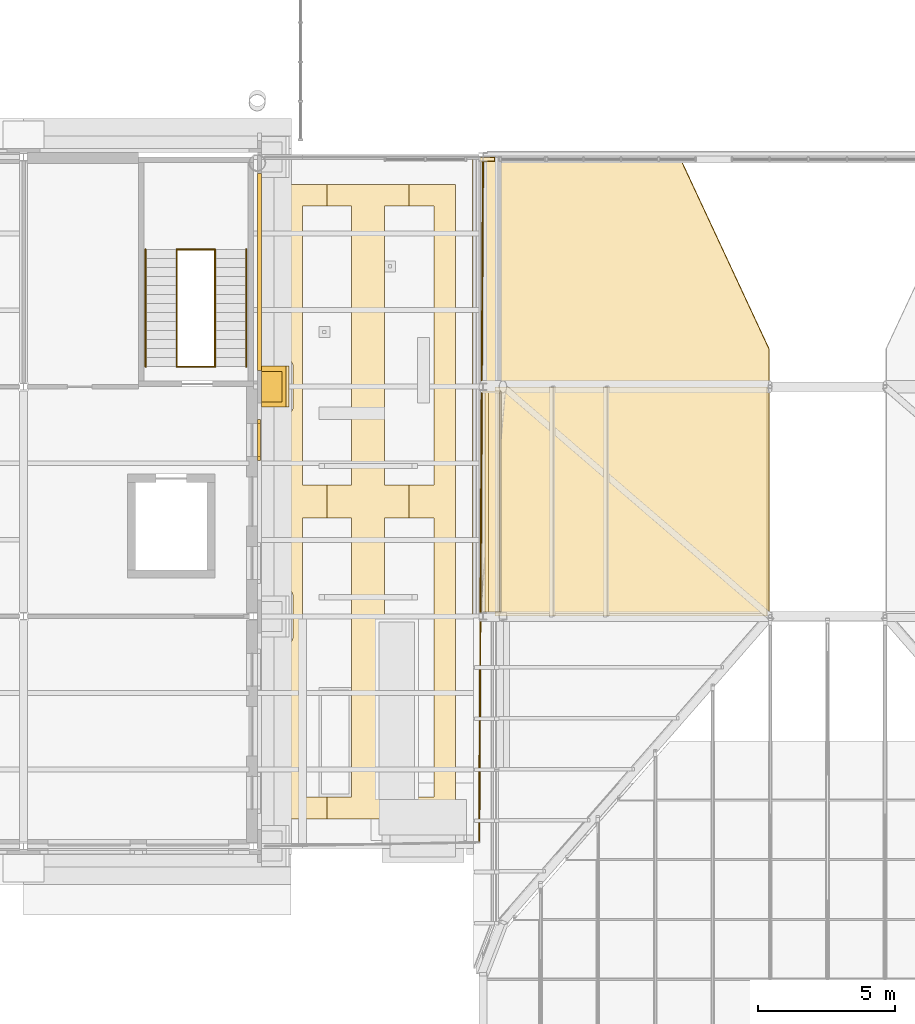
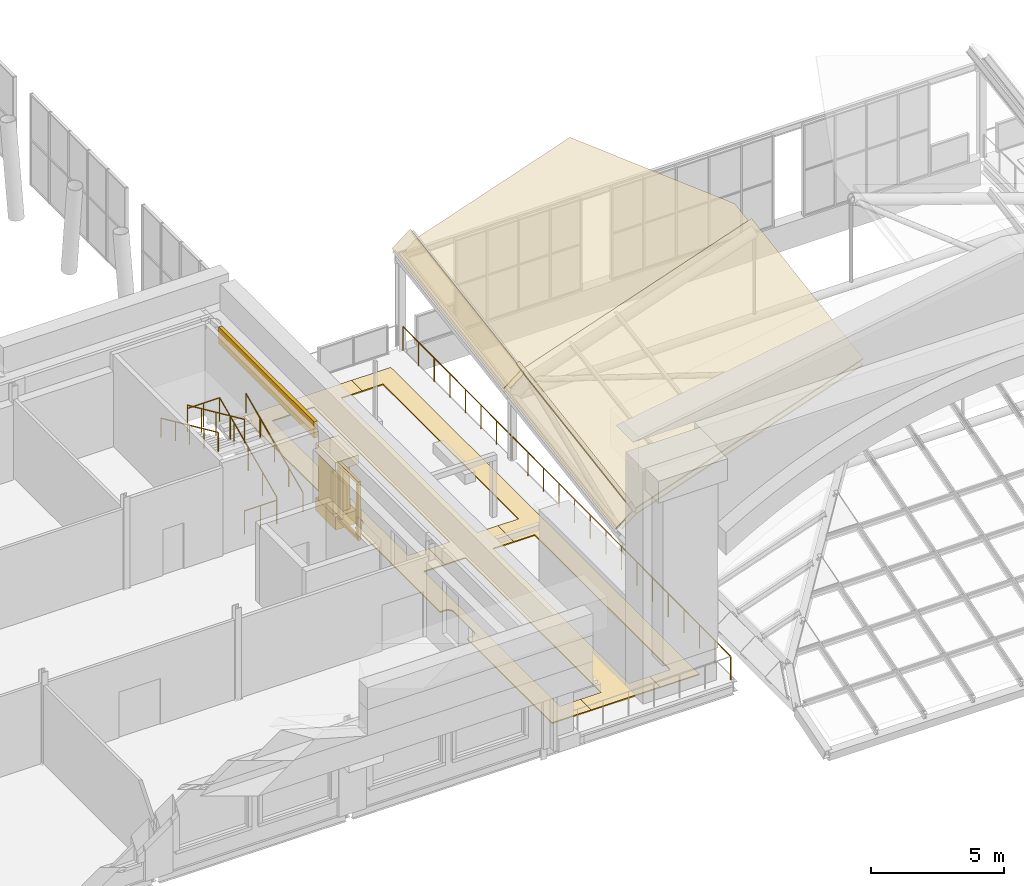
# One storey, part 56 of 76: 19 coverings, 7 railings.
"""IFC4 building model written with IfcOpenShell, lengths in metres."""

from ifc_helpers import new_model, si_unit, direction, frame, origin, origin_2d, place, context, subcontext, project, spatial, polyline, rectangle, circle, outline, extrude, material, layer, layer_set, material_profile, profile_set, type_object, element, save


model = new_model("IFC4")

# Units and contexts
model_context = context("Model", 3, precision=1e-05, world=origin(), true_north=direction((0.0, 1.0)))
body_context = subcontext(model_context, "Body", "Model", "MODEL_VIEW")
ifc_project = project(units=[si_unit("LENGTHUNIT", "METRE"), si_unit("AREAUNIT", "SQUARE_METRE"), si_unit("VOLUMEUNIT", "CUBIC_METRE"), si_unit("PLANEANGLEUNIT", "RADIAN"), si_unit("MASSUNIT", "GRAM", prefix="KILO")], contexts=[model_context])

# Site, building, storey
site_placement = place(None, origin())
site = spatial("IfcSite", under=ifc_project, at=site_placement, CompositionType="ELEMENT")
building_placement = place(site_placement, origin())
building = spatial("IfcBuilding", under=site, at=building_placement, Name="Sava Quay Ferry Terminal", CompositionType="ELEMENT")
storey_placement = place(building_placement, frame((0.0, 0.0, 10.800048828125)))
storey = spatial("IfcBuildingStorey", under=building, at=storey_placement, Name="L02", CompositionType="ELEMENT", Elevation=10.800048828125)

# Covering
ifc_material_1 = material(Name="Steel S355", Category="steel")
ifc_material_profile = material_profile(ifc_material_1, rectangle(XDim=0.14990234375, YDim=0.60009765625, at=origin_2d()), Name="Cap 150 x 600")
ifc_profile_set = profile_set([ifc_material_profile], Name="Steel S355")
covering_type_1 = type_object("IfcCoveringType", Name="Crease capping 150x600", PredefinedType="MOLDING", material=ifc_profile_set)
covering_1_placement = place(storey_placement, frame((50.68310546875, 33.468017578125, 2.858642578125), z_axis=(0.0, 0.987350755247, 0.158551209752), x_axis=(-0.881207713377, 0.074951798175, -0.466749605072)))
element("IfcCovering", 1, at=covering_1_placement, inside=storey, type_object=covering_type_1, Name="Arrivals hall crease capping bay 1 crease 1", PredefinedType="MOLDING", context=body_context, shape_type="SweptSolid", body=[
    extrude(rectangle(XDim=0.14990234375, YDim=0.60009765625, at=origin_2d()), origin(), (0.0, 0.0, 1.0), 8.507568359375),
])

# Railing
ifc_material_2 = material(Name="Steel S355", Category="steel")
railing_type_1 = type_object("IfcRailingType", Name="Edge guard 1100", PredefinedType="GUARDRAIL", material=ifc_material_2)
railing_1_placement = place(storey_placement, frame((50.39990234375, 50.2099609375, 0.0)))
element("IfcRailing", 2, at=railing_1_placement, inside=storey, type_object=railing_type_1, Name="Terrace edge guard", PredefinedType="GUARDRAIL", context=body_context, shape_type="SweptSolid", body=[
    extrude(circle(Radius=0.02392578125, at=origin_2d()), frame((0.0, 0.0, 1.076171875), z_axis=(-0.005624892607, -0.999984180166, 0.0), x_axis=(0.999984180166, -0.005624892607, 0.0)), (0.0, 0.0, 1.0), 24.870361328125),
    extrude(circle(Radius=0.02099609375, at=origin_2d()), origin(), (0.0, 0.0, 1.0), 1.052001953125),
    extrude(circle(Radius=0.02099609375, at=origin_2d()), frame((-0.006591796875, -1.184326171875, 0.0)), (0.0, 0.0, 1.0), 1.052001953125),
    extrude(circle(Radius=0.02099609375, at=origin_2d()), frame((-0.013427734375, -2.36865234375, 0.0)), (0.0, 0.0, 1.0), 1.052001953125),
    extrude(circle(Radius=0.02099609375, at=origin_2d()), frame((-0.02001953125, -3.552734375, 0.0)), (0.0, 0.0, 1.0), 1.052001953125),
    extrude(circle(Radius=0.02099609375, at=origin_2d()), frame((-0.026611328125, -4.737060546875, 0.0)), (0.0, 0.0, 1.0), 1.052001953125),
    extrude(circle(Radius=0.02099609375, at=origin_2d()), frame((-0.033203125, -5.92138671875, 0.0)), (0.0, 0.0, 1.0), 1.052001953125),
    extrude(circle(Radius=0.02099609375, at=origin_2d()), frame((-0.0400390625, -7.105712890625, 0.0)), (0.0, 0.0, 1.0), 1.052001953125),
    extrude(circle(Radius=0.02099609375, at=origin_2d()), frame((-0.046630859375, -8.2900390625, 0.0)), (0.0, 0.0, 1.0), 1.052001953125),
    extrude(circle(Radius=0.02099609375, at=origin_2d()), frame((-0.05322265625, -9.47412109375, 0.0)), (0.0, 0.0, 1.0), 1.052001953125),
    extrude(circle(Radius=0.02099609375, at=origin_2d()), frame((-0.06005859375, -10.658447265625, 0.0)), (0.0, 0.0, 1.0), 1.052001953125),
    extrude(circle(Radius=0.02099609375, at=origin_2d()), frame((-0.066650390625, -11.8427734375, 0.0)), (0.0, 0.0, 1.0), 1.052001953125),
    extrude(circle(Radius=0.02099609375, at=origin_2d()), frame((-0.0732421875, -13.027099609375, 0.0)), (0.0, 0.0, 1.0), 1.052001953125),
    extrude(circle(Radius=0.02099609375, at=origin_2d()), frame((-0.079833984375, -14.21142578125, 0.0)), (0.0, 0.0, 1.0), 1.052001953125),
    extrude(circle(Radius=0.02099609375, at=origin_2d()), frame((-0.086669921875, -15.395751953125, 0.0)), (0.0, 0.0, 1.0), 1.052001953125),
    extrude(circle(Radius=0.02099609375, at=origin_2d()), frame((-0.09326171875, -16.579833984375, 0.0)), (0.0, 0.0, 1.0), 1.052001953125),
    extrude(circle(Radius=0.02099609375, at=origin_2d()), frame((-0.099853515625, -17.76416015625, 0.0)), (0.0, 0.0, 1.0), 1.052001953125),
    extrude(circle(Radius=0.02099609375, at=origin_2d()), frame((-0.106689453125, -18.948486328125, 0.0)), (0.0, 0.0, 1.0), 1.052001953125),
    extrude(circle(Radius=0.02099609375, at=origin_2d()), frame((-0.11328125, -20.1328125, 0.0)), (0.0, 0.0, 1.0), 1.052001953125),
    extrude(circle(Radius=0.02099609375, at=origin_2d()), frame((-0.119873046875, -21.317138671875, 0.0)), (0.0, 0.0, 1.0), 1.052001953125),
    extrude(circle(Radius=0.02099609375, at=origin_2d()), frame((-0.12646484375, -22.501220703125, 0.0)), (0.0, 0.0, 1.0), 1.052001953125),
    extrude(circle(Radius=0.02099609375, at=origin_2d()), frame((-0.13330078125, -23.685546875, 0.0)), (0.0, 0.0, 1.0), 1.052001953125),
    extrude(circle(Radius=0.02099609375, at=origin_2d()), frame((-0.139892578125, -24.869873046875, 0.0)), (0.0, 0.0, 1.0), 1.052001953125),
])

# Coverings
ifc_material_3 = material(Name="Limestone Mutalj", Category="masonry")
ifc_layer_1 = layer(ifc_material_3, 0.89990234375)
ifc_layer_set_1 = layer_set([ifc_layer_1], Name="Limestone Mutalj")
covering_type_2 = type_object("IfcCoveringType", Name="Giant-order pilaster base 1500", PredefinedType="MOLDING", material=ifc_layer_set_1)
covering_2_placement = place(storey_placement, frame((42.75, 42.0, 0.0), z_axis=(0.0, 0.0, 1.0), x_axis=(1.0, 0.0, 0.0)))
element("IfcCovering", 3, at=covering_2_placement, inside=storey, type_object=covering_type_2, Name="Giant-order pilaster base", PredefinedType="MOLDING", context=body_context, shape_type="SweptSolid", body=[
    extrude(rectangle(XDim=0.89990234375, YDim=1.5, at=origin_2d()), origin(), (0.0, 0.0, 1.0), 0.60009765625),
])
ifc_material_4 = material(Name="Limestone Mutalj", Category="masonry")
ifc_layer_2 = layer(ifc_material_4, 0.75)
ifc_layer_set_2 = layer_set([ifc_layer_2], Name="Limestone Mutalj")
covering_type_3 = type_object("IfcCoveringType", Name="Giant-order pilaster shaft 1100", PredefinedType="CLADDING", material=ifc_layer_set_2)
covering_3_placement = place(storey_placement, frame((42.675048828125, 42.0, 0.599853515625), z_axis=(0.0, 0.0, 1.0), x_axis=(1.0, 0.0, 0.0)))
element("IfcCovering", 4, at=covering_3_placement, inside=storey, type_object=covering_type_3, Name="Giant-order pilaster", PredefinedType="CLADDING", context=body_context, shape_type="SweptSolid", body=[
    extrude(rectangle(XDim=0.75, YDim=1.10009765625, at=origin_2d()), origin(), (0.0, 0.0, 1.0), 2.10009765625),
])
ifc_material_5 = material(Name="Glulam GL28h", Category="wood")
ifc_layer_3 = layer(ifc_material_5, 0.06005859375)
ifc_layer_set_3 = layer_set([ifc_layer_3], Name="Glulam GL28h")
covering_type_4 = type_object("IfcCoveringType", Name="Glulam soffit lining 60", PredefinedType="CEILING", material=ifc_layer_set_3)
covering_4_placement = place(storey_placement, frame((50.386474609375, 33.758056640625, 1.77294921875), z_axis=(-0.610789753169, -0.125557978365, 0.781774309819), x_axis=(0.0, 0.987347050037, 0.158574281593)))
element("IfcCovering", 5, at=covering_4_placement, inside=storey, type_object=covering_type_4, Name="Arrivals hall timber soffit lining bay 1 facet 1", PredefinedType="CEILING", context=body_context, shape_type="SweptSolid", body=[
    extrude(outline(polyline([(0.0, 0.0), (8.187581433189713, 0.0), (8.26516513932053, -0.7908895906873865), (0.07758370613081611, -0.7908895906873865), (0.0, 0.0)])), origin(), (0.0, 0.0, -1.0), 0.06005859375),
])
covering_5_placement = place(storey_placement, frame((51.030029296875, 33.758056640625, 2.271728515625), z_axis=(-0.321874988723, -0.150121542758, 0.934804799963), x_axis=(-4.486055e-06, 0.987349626048, 0.158558241422)))
element("IfcCovering", 6, at=covering_5_placement, inside=storey, type_object=covering_type_4, Name="Arrivals hall timber soffit lining bay 1 facet 2", PredefinedType="CEILING", context=body_context, shape_type="SweptSolid", body=[
    extrude(outline(polyline([(0.0, 0.0), (8.187542721518723, 1.1102230246251565e-16), (8.72379403614296, -10.374923900349085), (0.5362126041160784, -10.37484631152506), (0.0, 0.0)])), origin(), (0.0, 0.0, -1.0), 0.06005859375),
])
covering_6_placement = place(storey_placement, frame((50.386474609375, 42.157958984375, 3.1220703125), z_axis=(-0.610702344243, -0.125465083878, 0.781857505856), x_axis=(7.119014e-06, 0.987367180583, 0.158448889728)))
element("IfcCovering", 7, at=covering_6_placement, inside=storey, type_object=covering_type_4, Name="Arrivals hall timber soffit lining bay 2 facet 1", PredefinedType="CEILING", context=body_context, shape_type="SweptSolid", body=[
    extrude(outline(polyline([(0.0, 0.0), (8.187426631712238, -1.1102230246251565e-16), (8.264914763156572, -0.7907479501580816), (0.07752681525530272, -0.7908951636733704), (0.0, 0.0)])), origin(), (0.0, 0.0, -1.0), 0.06005859375),
])
covering_7_placement = place(storey_placement, frame((51.030029296875, 50.241943359375, 4.91796875), z_axis=(-0.321884137241, -0.150018110031, 0.934818254451), x_axis=(0.945518482544, -6.29985e-07, 0.325568424708)))
element("IfcCovering", 8, at=covering_7_placement, inside=storey, type_object=covering_type_4, Name="Arrivals hall timber soffit lining bay 2 facet 2 (lower part)", PredefinedType="CEILING", context=body_context, shape_type="SweptSolid", body=[
    extrude(outline(polyline([(0.0, 0.0), (7.009309763889527, -5.551115123125783e-17), (10.03054110929633, -6.9344307585069105), (9.966397908633908, -8.176507354332243), (-0.4223754269592111, -8.176524558421852), (0.0, 0.0)])), origin(), (0.0, 0.0, -1.0), 0.06005859375),
])

# Railings
ifc_material_6 = material(Name="Steel S355", Category="steel")
railing_type_2 = type_object("IfcRailingType", Name="Guard 1100", PredefinedType="GUARDRAIL", material=ifc_material_6)
railing_2_placement = place(storey_placement, frame((39.199951171875, 42.72998046875, 0.0)))
element("IfcRailing", 9, at=railing_2_placement, inside=storey, type_object=railing_type_2, Name="Guard at stair well ST-W2 L02", PredefinedType="GUARDRAIL", context=body_context, shape_type="SweptSolid", body=[
    extrude(circle(Radius=0.02392578125, at=origin_2d()), frame((0.0, 0.0, 1.076171875), z_axis=(1.0, 0.0, 0.0), x_axis=(0.0, 1.0, 0.0)), (0.0, 0.0, 1.0), 1.400146484375),
    extrude(circle(Radius=0.02099609375, at=origin_2d()), origin(), (0.0, 0.0, 1.0), 1.052001953125),
    extrude(circle(Radius=0.02099609375, at=origin_2d()), frame((0.7001953125, 0.0, 0.0)), (0.0, 0.0, 1.0), 1.052001953125),
    extrude(circle(Radius=0.02099609375, at=origin_2d()), frame((1.400146484375, 0.0, 0.0)), (0.0, 0.0, 1.0), 1.052001953125),
])
railing_3_placement = place(storey_placement, frame((40.60009765625, 42.72998046875, 0.14990234375)))
element("IfcRailing", 10, at=railing_3_placement, inside=storey, type_object=railing_type_2, Name="Guard at stair well ST-W2 L02", PredefinedType="GUARDRAIL", context=body_context, shape_type="SweptSolid", body=[
    extrude(circle(Radius=0.02392578125, at=origin_2d()), frame((0.0, 0.0, 1.076171875), z_axis=(0.0, 0.910371800137, 0.413791234219), x_axis=(-1.0, 0.0, 0.0)), (0.0, 0.0, 1.0), 4.71240234375),
    extrude(circle(Radius=0.02099609375, at=origin_2d()), origin(), (0.0, 0.0, 1.0), 1.052001953125),
    extrude(circle(Radius=0.02099609375, at=origin_2d()), frame((0.0, 1.072509765625, 0.487548828125)), (0.0, 0.0, 1.0), 1.052001953125),
    extrude(circle(Radius=0.02099609375, at=origin_2d()), frame((0.0, 2.14501953125, 0.97509765625)), (0.0, 0.0, 1.0), 1.052001953125),
    extrude(circle(Radius=0.02099609375, at=origin_2d()), frame((0.0, 3.217529296875, 1.46240234375)), (0.0, 0.0, 1.0), 1.052001953125),
    extrude(circle(Radius=0.02099609375, at=origin_2d()), frame((0.0, 4.2900390625, 1.949951171875)), (0.0, 0.0, 1.0), 1.052001953125),
])
railing_4_placement = place(storey_placement, frame((39.199951171875, 47.02001953125, 2.25)))
element("IfcRailing", 11, at=railing_4_placement, inside=storey, type_object=railing_type_2, Name="Guard at stair well ST-W2 L02", PredefinedType="GUARDRAIL", context=body_context, shape_type="SweptSolid", body=[
    extrude(circle(Radius=0.02392578125, at=origin_2d()), frame((0.0, 0.0, 1.076171875), z_axis=(0.0, -0.910371800137, 0.413791234219), x_axis=(1.0, 0.0, 0.0)), (0.0, 0.0, 1.0), 4.71240234375),
    extrude(circle(Radius=0.02099609375, at=origin_2d()), origin(), (0.0, 0.0, 1.0), 1.052001953125),
    extrude(circle(Radius=0.02099609375, at=origin_2d()), frame((0.0, -1.072509765625, 0.487548828125)), (0.0, 0.0, 1.0), 1.052001953125),
    extrude(circle(Radius=0.02099609375, at=origin_2d()), frame((0.0, -2.14501953125, 0.97509765625)), (0.0, 0.0, 1.0), 1.052001953125),
    extrude(circle(Radius=0.02099609375, at=origin_2d()), frame((0.0, -3.217529296875, 1.46240234375)), (0.0, 0.0, 1.0), 1.052001953125),
    extrude(circle(Radius=0.02099609375, at=origin_2d()), frame((0.0, -4.2900390625, 1.949951171875)), (0.0, 0.0, 1.0), 1.052001953125),
])
railing_5_placement = place(storey_placement, frame((39.199951171875, 47.02001953125, 2.099853515625)))
element("IfcRailing", 12, at=railing_5_placement, inside=storey, type_object=railing_type_2, Name="Guard at half landing ST-W2 L02", PredefinedType="GUARDRAIL", context=body_context, shape_type="SweptSolid", body=[
    extrude(circle(Radius=0.02392578125, at=origin_2d()), frame((0.0, 0.0, 1.076171875), z_axis=(1.0, 0.0, 0.0), x_axis=(0.0, 1.0, 0.0)), (0.0, 0.0, 1.0), 1.400146484375),
    extrude(circle(Radius=0.02099609375, at=origin_2d()), origin(), (0.0, 0.0, 1.0), 1.052001953125),
    extrude(circle(Radius=0.02099609375, at=origin_2d()), frame((0.7001953125, 0.0, 0.0)), (0.0, 0.0, 1.0), 1.052001953125),
    extrude(circle(Radius=0.02099609375, at=origin_2d()), frame((1.400146484375, 0.0, 0.0)), (0.0, 0.0, 1.0), 1.052001953125),
])

# Coverings
ifc_material_7 = material(Name="Limestone Mutalj", Category="masonry")
ifc_layer_4 = layer(ifc_material_7, 0.14990234375)
ifc_layer_set_4 = layer_set([ifc_layer_4], Name="Limestone Mutalj")
covering_type_5 = type_object("IfcCoveringType", Name="Limestone string course 150", PredefinedType="CLADDING", material=ifc_layer_set_4)
covering_8_placement = place(storey_placement, frame((0.0, 0.0, 3.449951171875)))
element("IfcCovering", 13, at=covering_8_placement, inside=storey, type_object=covering_type_5, Name="String course W-E", PredefinedType="CLADDING", context=body_context, shape_type="SweptSolid", body=[
    extrude(outline(polyline([(42.14990234375, 42.60009765625), (42.14990234375, 49.800048828125), (42.300048828125, 49.800048828125), (42.300048828125, 42.60009765625), (42.14990234375, 42.60009765625)])), origin(), (0.0, 0.0, 1.0), 0.75),
])
ifc_material_8 = material(Name="Limestone Mutalj", Category="masonry")
ifc_layer_5 = layer(ifc_material_8, 1.0)
ifc_layer_set_5 = layer_set([ifc_layer_5], Name="Limestone Mutalj")
covering_type_6 = type_object("IfcCoveringType", Name="Pilaster capital block 1500", PredefinedType="MOLDING", material=ifc_layer_set_5)
covering_9_placement = place(storey_placement, frame((42.800048828125, 42.0, 2.699951171875), z_axis=(0.0, 0.0, 1.0), x_axis=(1.0, 0.0, 0.0)))
element("IfcCovering", 14, at=covering_9_placement, inside=storey, type_object=covering_type_6, Name="Giant-order capital", PredefinedType="MOLDING", context=body_context, shape_type="SweptSolid", body=[
    extrude(rectangle(XDim=1.0, YDim=1.5, at=origin_2d()), origin(), (0.0, 0.0, 1.0), 0.39990234375),
])
ifc_material_9 = material(Name="Limestone Mutalj", Category="masonry")
ifc_layer_6 = layer(ifc_material_9, 0.1201171875)
ifc_layer_set_6 = layer_set([ifc_layer_6], Name="Limestone Mutalj")
covering_type_7 = type_object("IfcCoveringType", Name="Plain window architrave 150", PredefinedType="MOLDING", material=ifc_layer_set_6)
for number, where, z_axis, x_axis, name in (
    (15, (42.2099609375, 39.375, 0.89990234375), (0.0, 0.0, 1.0), (1.0, 0.0, 0.0), "Plain window architrave"),
    (16, (42.2099609375, 40.72509765625, 0.89990234375), (0.0, 0.0, 1.0), (1.0, 0.0, 0.0), "Plain window architrave"),
):
    element("IfcCovering", number, at=place(storey_placement, frame(where, z_axis=z_axis, x_axis=x_axis)), inside=storey, type_object=covering_type_7, Name=name, PredefinedType="MOLDING", context=body_context, shape_type="SweptSolid", body=[
        extrude(rectangle(XDim=0.1201171875, YDim=0.14990234375, at=origin_2d()), origin(), (0.0, 0.0, 1.0), 2.39990234375),
    ])
for number, where, z_axis, x_axis, name in (
    (17, (42.2099609375, 40.050048828125, 3.300048828125), (0.0, 0.0, 1.0), (1.0, 0.0, 0.0), "Plain window architrave"),
    (18, (42.2099609375, 40.050048828125, 0.75), (0.0, 0.0, 1.0), (1.0, 0.0, 0.0), "Plain window architrave"),
):
    element("IfcCovering", number, at=place(storey_placement, frame(where, z_axis=z_axis, x_axis=x_axis)), inside=storey, type_object=covering_type_7, Name=name, PredefinedType="MOLDING", context=body_context, shape_type="SweptSolid", body=[
        extrude(rectangle(XDim=0.1201171875, YDim=1.5, at=origin_2d()), origin(), (0.0, 0.0, 1.0), 0.14990234375),
    ])

# Railings
ifc_material_10 = material(Name="Steel S355", Category="steel")
railing_type_3 = type_object("IfcRailingType", Name="Stair handrail 900", PredefinedType="HANDRAIL", material=ifc_material_10)
railing_6_placement = place(storey_placement, frame((41.739990234375, 42.72998046875, 0.14990234375)))
element("IfcRailing", 19, at=railing_6_placement, inside=storey, type_object=railing_type_3, Name="Handrail ST-W2 L02", PredefinedType="HANDRAIL", context=body_context, shape_type="SweptSolid", body=[
    extrude(circle(Radius=0.02392578125, at=origin_2d()), frame((0.0, 0.0, 0.8759765625), z_axis=(0.0, 0.910371800137, 0.413791234219), x_axis=(-1.0, 0.0, 0.0)), (0.0, 0.0, 1.0), 4.71240234375),
    extrude(circle(Radius=0.02099609375, at=origin_2d()), origin(), (0.0, 0.0, 1.0), 0.851806640625),
    extrude(circle(Radius=0.02099609375, at=origin_2d()), frame((0.0, 1.072509765625, 0.487548828125)), (0.0, 0.0, 1.0), 0.851806640625),
    extrude(circle(Radius=0.02099609375, at=origin_2d()), frame((0.0, 2.14501953125, 0.97509765625)), (0.0, 0.0, 1.0), 0.851806640625),
    extrude(circle(Radius=0.02099609375, at=origin_2d()), frame((0.0, 3.217529296875, 1.46240234375)), (0.0, 0.0, 1.0), 0.851806640625),
    extrude(circle(Radius=0.02099609375, at=origin_2d()), frame((0.0, 4.2900390625, 1.949951171875)), (0.0, 0.0, 1.0), 0.851806640625),
])
railing_7_placement = place(storey_placement, frame((38.06005859375, 47.02001953125, 2.25)))
element("IfcRailing", 20, at=railing_7_placement, inside=storey, type_object=railing_type_3, Name="Handrail ST-W2 L02", PredefinedType="HANDRAIL", context=body_context, shape_type="SweptSolid", body=[
    extrude(circle(Radius=0.02392578125, at=origin_2d()), frame((0.0, 0.0, 0.8759765625), z_axis=(0.0, -0.910371800137, 0.413791234219), x_axis=(1.0, 0.0, 0.0)), (0.0, 0.0, 1.0), 4.71240234375),
    extrude(circle(Radius=0.02099609375, at=origin_2d()), origin(), (0.0, 0.0, 1.0), 0.851806640625),
    extrude(circle(Radius=0.02099609375, at=origin_2d()), frame((0.0, -1.072509765625, 0.487548828125)), (0.0, 0.0, 1.0), 0.851806640625),
    extrude(circle(Radius=0.02099609375, at=origin_2d()), frame((0.0, -2.14501953125, 0.97509765625)), (0.0, 0.0, 1.0), 0.851806640625),
    extrude(circle(Radius=0.02099609375, at=origin_2d()), frame((0.0, -3.217529296875, 1.46240234375)), (0.0, 0.0, 1.0), 0.851806640625),
    extrude(circle(Radius=0.02099609375, at=origin_2d()), frame((0.0, -4.2900390625, 1.949951171875)), (0.0, 0.0, 1.0), 0.851806640625),
])

# Coverings
ifc_material_11 = material(Name="Zinc standing seam sheet")
ifc_layer_7 = layer(ifc_material_11, 0.0400390625)
ifc_layer_set_7 = layer_set([ifc_layer_7], Name="Zinc standing seam sheet")
covering_type_8 = type_object("IfcCoveringType", Name="Standing seam roofing 40", PredefinedType="ROOFING", material=ifc_layer_set_7)
covering_10_placement = place(storey_placement, frame((50.017822265625, 33.610107421875, 1.98583984375), z_axis=(-0.610744003619, -0.125560132843, 0.781809705161), x_axis=(-6.867577e-06, 0.987348587972, 0.158564705348)))
element("IfcCovering", 21, at=covering_10_placement, inside=storey, type_object=covering_type_8, Name="Arrivals hall roofing bay 1 facet 1", PredefinedType="ROOFING", context=body_context, shape_type="SweptSolid", body=[
    extrude(outline(polyline([(0.0, 0.0), (8.487246481796067, 1.1102230246251565e-16), (8.586150379547053, -1.0082981341003876), (0.09886518566471947, -1.00815091288655), (0.0, 0.0)])), origin(), (0.0, 0.0, -1.0), 0.0400390625),
])
covering_11_placement = place(storey_placement, frame((50.83349609375, 33.610107421875, 2.618896484375), z_axis=(-0.321876025218, -0.150117857826, 0.934805034834), x_axis=(0.0, 0.987349999784, 0.158555914194)))
element("IfcCovering", 22, at=covering_11_placement, inside=storey, type_object=covering_type_8, Name="Arrivals hall roofing bay 1 facet 2", PredefinedType="ROOFING", context=body_context, shape_type="SweptSolid", body=[
    extrude(outline(polyline([(0.0, 0.0), (8.487246482332635, 5.551115123125783e-17), (9.030540490076605, -10.510780574283412), (0.5432940077439705, -10.510780574283412), (0.0, 0.0)])), origin(), (0.0, 0.0, -1.0), 0.0400390625),
])
covering_12_placement = place(storey_placement, frame((50.017822265625, 42.010009765625, 3.334716796875), z_axis=(-0.610826804577, -0.125450088834, 0.781762681395), x_axis=(0.0, 0.987368006772, 0.158443741443)))
element("IfcCovering", 23, at=covering_12_placement, inside=storey, type_object=covering_type_8, Name="Arrivals hall roofing bay 2 facet 1", PredefinedType="ROOFING", context=body_context, shape_type="SweptSolid", body=[
    extrude(outline(polyline([(0.0, 0.0), (8.487091697344031, 0.0), (8.58592562297581, -1.008304999726202), (0.09883392563177865, -1.008304999726202), (0.0, 0.0)])), origin(), (0.0, 0.0, -1.0), 0.0400390625),
])
ifc_material_12 = material(Name="Limestone Mutalj", Category="masonry")
ifc_layer_8 = layer(ifc_material_12, 0.050048828125)
ifc_layer_set_8 = layer_set([ifc_layer_8], Name="Limestone Mutalj")
covering_type_9 = type_object("IfcCoveringType", Name="Stone paving band 50", PredefinedType="FLOORING", material=ifc_layer_set_8)
covering_13_placement = place(storey_placement, origin())
element("IfcCovering", 24, at=covering_13_placement, inside=storey, type_object=covering_type_9, Name="Stone paving band", PredefinedType="FLOORING", context=body_context, shape_type="SweptSolid", body=[
    extrude(outline(polyline([(43.22509765625, 41.0009765625), (43.199951171875, 41.0), (43.0, 41.0), (43.0, 34.60009765625), (43.199951171875, 34.60009765625), (43.22509765625, 34.59912109375), (43.2490234375, 34.594970703125), (43.27294921875, 34.589111328125), (43.2958984375, 34.5810546875), (43.318115234375, 34.570068359375), (43.339111328125, 34.55810546875), (43.35888671875, 34.54296875), (43.376953125, 34.527099609375), (43.39306640625, 34.509033203125), (43.407958984375, 34.489013671875), (43.419921875, 34.468017578125), (43.430908203125, 34.446044921875), (43.43896484375, 34.423095703125), (43.445068359375, 34.39892578125), (43.448974609375, 34.375), (43.449951171875, 34.35009765625), (43.449951171875, 32.85009765625), (43.448974609375, 32.824951171875), (43.445068359375, 32.801025390625), (43.43896484375, 32.777099609375), (43.430908203125, 32.75390625), (43.419921875, 32.73193359375), (43.407958984375, 32.7109375), (43.39306640625, 32.69091796875), (43.376953125, 32.673095703125), (43.35888671875, 32.656982421875), (43.339111328125, 32.64208984375), (43.318115234375, 32.6298828125), (43.2958984375, 32.618896484375), (43.27294921875, 32.611083984375), (43.2490234375, 32.60498046875), (43.22509765625, 32.60107421875), (43.199951171875, 32.60009765625), (43.0, 32.60009765625), (43.0, 26.199951171875), (44.699951171875, 26.199951171875), (44.699951171875, 27.0), (43.800048828125, 27.0), (43.800048828125, 37.199951171875), (44.699951171875, 37.199951171875), (44.699951171875, 38.39990234375), (43.800048828125, 38.39990234375), (43.800048828125, 48.60009765625), (44.699951171875, 48.60009765625), (44.699951171875, 49.39990234375), (43.0, 49.39990234375), (43.0, 43.0), (43.199951171875, 43.0), (43.22509765625, 42.9990234375), (43.2490234375, 42.9951171875), (43.27294921875, 42.989013671875), (43.2958984375, 42.98095703125), (43.318115234375, 42.969970703125), (43.339111328125, 42.9580078125), (43.35888671875, 42.943115234375), (43.376953125, 42.927001953125), (43.39306640625, 42.908935546875), (43.407958984375, 42.888916015625), (43.419921875, 42.867919921875), (43.430908203125, 42.845947265625), (43.43896484375, 42.822998046875), (43.445068359375, 42.799072265625), (43.448974609375, 42.77490234375), (43.449951171875, 42.75), (43.449951171875, 41.25), (43.448974609375, 41.22509765625), (43.445068359375, 41.200927734375), (43.43896484375, 41.177001953125), (43.430908203125, 41.154052734375), (43.419921875, 41.132080078125), (43.407958984375, 41.111083984375), (43.39306640625, 41.091064453125), (43.376953125, 41.072998046875), (43.35888671875, 41.056884765625), (43.339111328125, 41.0419921875), (43.318115234375, 41.030029296875), (43.2958984375, 41.01904296875), (43.27294921875, 41.010986328125), (43.2490234375, 41.0048828125), (43.22509765625, 41.0009765625)])), origin(), (0.0, 0.0, 1.0), 0.050048828125),
])
covering_14_placement = place(storey_placement, origin())
element("IfcCovering", 25, at=covering_14_placement, inside=storey, type_object=covering_type_9, Name="Stone paving band", PredefinedType="FLOORING", context=body_context, shape_type="SweptSolid", body=[
    extrude(outline(polyline([(44.699951171875, 49.39990234375), (44.699951171875, 48.60009765625), (45.60009765625, 48.60009765625), (45.60009765625, 38.39990234375), (44.699951171875, 38.39990234375), (44.699951171875, 37.199951171875), (45.60009765625, 37.199951171875), (45.60009765625, 27.0), (44.699951171875, 27.0), (44.699951171875, 26.199951171875), (47.699951171875, 26.199951171875), (47.699951171875, 27.0), (46.800048828125, 27.0), (46.800048828125, 37.199951171875), (47.699951171875, 37.199951171875), (47.699951171875, 38.39990234375), (46.800048828125, 38.39990234375), (46.800048828125, 48.60009765625), (47.699951171875, 48.60009765625), (47.699951171875, 49.39990234375), (44.699951171875, 49.39990234375)])), origin(), (0.0, 0.0, 1.0), 0.050048828125),
])
covering_15_placement = place(storey_placement, origin())
element("IfcCovering", 26, at=covering_15_placement, inside=storey, type_object=covering_type_9, Name="Stone paving band", PredefinedType="FLOORING", context=body_context, shape_type="SweptSolid", body=[
    extrude(outline(polyline([(49.39990234375, 49.39990234375), (47.699951171875, 49.39990234375), (47.699951171875, 48.60009765625), (48.60009765625, 48.60009765625), (48.60009765625, 38.39990234375), (47.699951171875, 38.39990234375), (47.699951171875, 37.199951171875), (48.60009765625, 37.199951171875), (48.60009765625, 27.0), (47.699951171875, 27.0), (47.699951171875, 26.199951171875), (49.39990234375, 26.199951171875), (49.39990234375, 49.39990234375)])), origin(), (0.0, 0.0, 1.0), 0.050048828125),
])

save(model, "model.ifc")
